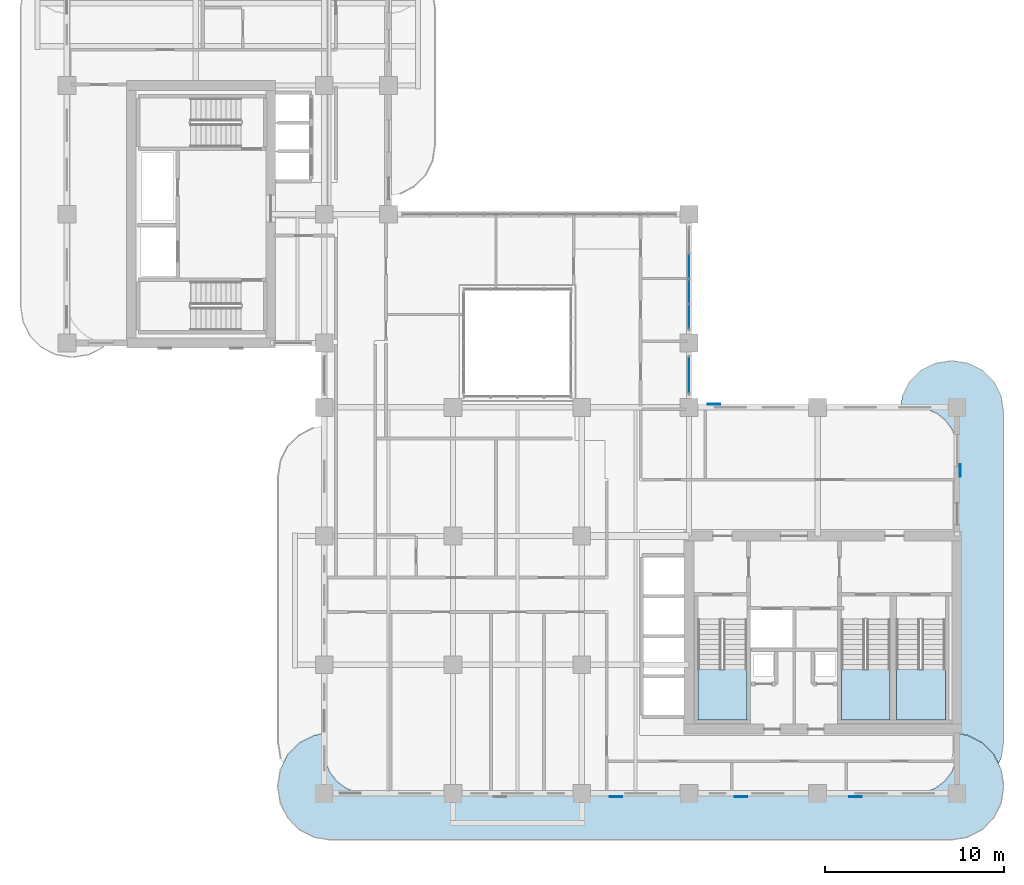
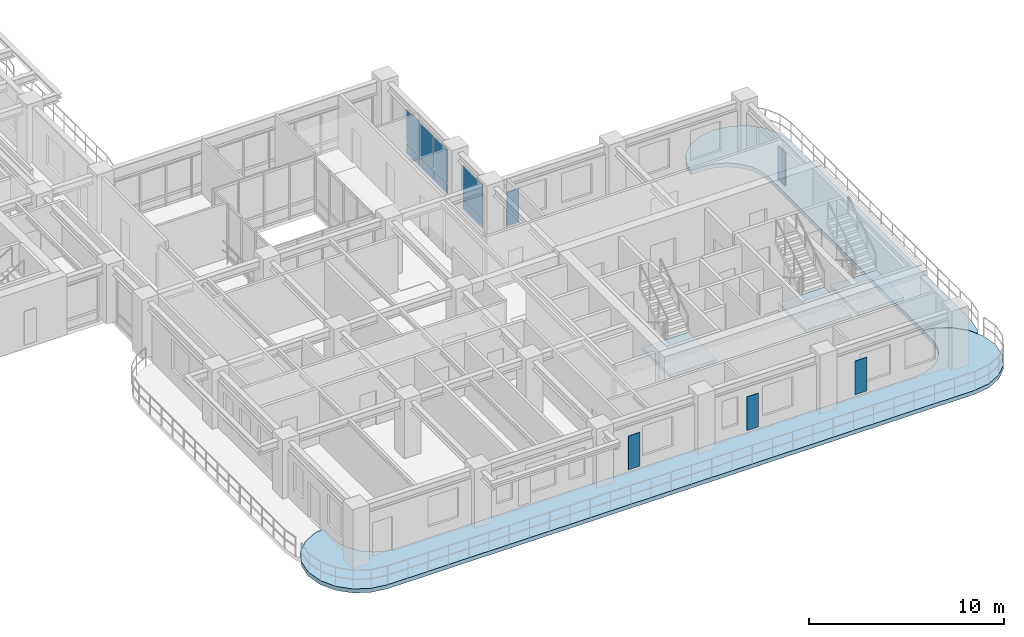
# One storey, part 9 of 20: 13 plates, 5 slabs, 5 elements without a shape of their own.
"""IFC4 building model written with IfcOpenShell, lengths in metres."""

from ifc_helpers import new_model, si_unit, derived_unit, direction, frame, origin, origin_2d, place, context, subcontext, project, spatial, polyline, rectangle, outline, extrude, source, transform, mapped, material, layer, layer_set, type_object, type_shapes, element, aggregate, save


model = new_model("IFC4")

# Units and contexts
model_context = context("Model", 3, precision=1e-05, world=origin(), true_north=direction((0.0, 1.0)))
body_context = subcontext(model_context, "Body", "Model", "MODEL_VIEW")
ifc_project = project(units=[si_unit("LENGTHUNIT", "METRE"), si_unit("AREAUNIT", "SQUARE_METRE"), si_unit("VOLUMEUNIT", "CUBIC_METRE"), si_unit("PLANEANGLEUNIT", "RADIAN"), si_unit("MASSUNIT", "GRAM", prefix="KILO"), si_unit("THERMODYNAMICTEMPERATUREUNIT", "KELVIN"), si_unit("POWERUNIT", "WATT"), derived_unit("THERMALTRANSMITTANCEUNIT", [(si_unit("POWERUNIT", "WATT"), 1), (si_unit("AREAUNIT", "SQUARE_METRE"), -1), (si_unit("THERMODYNAMICTEMPERATUREUNIT", "KELVIN"), -1)])], contexts=[model_context])

# Site, building, storey
site_placement = place(None, origin())
site = spatial("IfcSite", under=ifc_project, at=site_placement, CompositionType="ELEMENT")
building_placement = place(site_placement, origin())
building = spatial("IfcBuilding", under=site, at=building_placement, Name="Zahravan Archway Hotel and Residences", CompositionType="ELEMENT")
storey_placement = place(building_placement, frame((0.0, 0.0, 137.699951171875)))
storey = spatial("IfcBuildingStorey", under=building, at=storey_placement, Name="L34", CompositionType="ELEMENT", Elevation=137.699951171875)

# Slabs
ifc_material_1 = material(Name="Concrete C45/55", Category="concrete")
ifc_layer_1 = layer(ifc_material_1, 0.25, Name="Concrete C45/55", Category="concrete")
ifc_layer_set_1 = layer_set([ifc_layer_1], Name="Concrete C45/55")
slab_type_1 = type_object("IfcSlabType", Name="SLB-BALC-250", PredefinedType="FLOOR", material=ifc_layer_set_1)
slab_1_placement = place(storey_placement, frame((0.0, 0.0, -0.25)))
element("IfcSlab", 1, at=slab_1_placement, inside=storey, type_object=slab_type_1, Name="L34 Wing A South Rounded Balcony Band", PredefinedType="FLOOR", context=body_context, shape_type="SweptSolid", body=[
    extrude(outline(polyline([(50.361572265625, 3.255615234375), (51.18408203125, 2.836669921875), (51.836669921875, 2.18408203125), (52.255615234375, 1.361572265625), (52.39990234375, 0.449951171875), (52.39990234375, 0.35009765625), (52.255615234375, -0.5615234375), (51.836669921875, -1.384033203125), (51.18408203125, -2.03662109375), (50.361572265625, -2.45556640625), (49.449951171875, -2.60009765625), (14.75, -2.60009765625), (13.83837890625, -2.45556640625), (13.01611328125, -2.03662109375), (12.36328125, -1.384033203125), (11.9443359375, -0.5615234375), (11.800048828125, 0.35009765625), (11.800048828125, 0.449951171875), (11.9443359375, 1.361572265625), (12.36328125, 2.18408203125), (13.01611328125, 2.836669921875), (13.83837890625, 3.255615234375), (14.3798828125, 3.34130859375), (14.3798828125, 2.39990234375), (14.380126953125, 2.3974609375), (14.4619140625, 1.776123046875), (14.46240234375, 1.7744140625), (14.462646484375, 1.772705078125), (14.46337890625, 1.77099609375), (14.702880859375, 1.1923828125), (14.703857421875, 1.19091796875), (14.70458984375, 1.189208984375), (14.70556640625, 1.187744140625), (15.0869140625, 0.690673828125), (15.088134765625, 0.689453125), (15.08935546875, 0.688232421875), (15.0908203125, 0.68701171875), (15.587890625, 0.3056640625), (15.58935546875, 0.3046875), (15.5908203125, 0.3037109375), (15.59228515625, 0.302978515625), (16.171142578125, 0.063232421875), (16.1728515625, 0.062744140625), (16.174560546875, 0.062255859375), (16.17626953125, 0.06201171875), (16.79736328125, -0.019775390625), (16.800048828125, -0.02001953125), (47.39990234375, -0.02001953125), (47.402587890625, -0.019775390625), (48.023681640625, 0.06201171875), (48.025390625, 0.062255859375), (48.027099609375, 0.062744140625), (48.02880859375, 0.063232421875), (48.607666015625, 0.302978515625), (48.609130859375, 0.3037109375), (48.610595703125, 0.3046875), (48.6123046875, 0.3056640625), (49.109375, 0.68701171875), (49.110595703125, 0.688232421875), (49.11181640625, 0.689453125), (49.113037109375, 0.690673828125), (49.494384765625, 1.187744140625), (49.495361328125, 1.189208984375), (49.49609375, 1.19091796875), (49.4970703125, 1.1923828125), (49.73681640625, 1.77099609375), (49.7373046875, 1.772705078125), (49.73779296875, 1.7744140625), (49.738037109375, 1.776123046875), (49.81982421875, 2.3974609375), (49.820068359375, 2.39990234375), (49.820068359375, 3.34130859375), (50.361572265625, 3.255615234375)])), origin(), (0.0, 0.0, 1.0), 0.25),
])
slab_2_placement = place(storey_placement, frame((0.0, 0.0, -0.25)))
element("IfcSlab", 2, at=slab_2_placement, inside=storey, type_object=slab_type_1, Name="L34 Wing A East Rounded Balcony Band", PredefinedType="FLOOR", context=body_context, shape_type="SweptSolid", body=[
    extrude(outline(polyline([(46.739501953125, 22.230712890625), (47.144287109375, 23.025146484375), (47.77490234375, 23.65576171875), (48.5693359375, 24.060546875), (49.449951171875, 24.199951171875), (49.550048828125, 24.199951171875), (50.4306640625, 24.060546875), (51.22509765625, 23.65576171875), (51.855712890625, 23.025146484375), (52.260498046875, 22.230712890625), (52.39990234375, 21.35009765625), (52.39990234375, 2.85009765625), (52.260498046875, 1.96923828125), (52.114501953125, 1.6826171875), (51.8544921875, 2.193115234375), (51.853515625, 2.19482421875), (51.85205078125, 2.196533203125), (51.8505859375, 2.197998046875), (51.197998046875, 2.8505859375), (51.196533203125, 2.85205078125), (51.19482421875, 2.853515625), (51.193115234375, 2.8544921875), (50.37060546875, 3.2734375), (50.368896484375, 3.2744140625), (50.36669921875, 3.27490234375), (50.36474609375, 3.275390625), (49.822998046875, 3.361083984375), (49.8212890625, 3.361328125), (49.820068359375, 3.361328125), (49.820068359375, 19.199951171875), (49.81982421875, 19.20263671875), (49.738037109375, 19.82373046875), (49.73779296875, 19.825439453125), (49.7373046875, 19.8271484375), (49.73681640625, 19.828857421875), (49.4970703125, 20.40771484375), (49.49609375, 20.4091796875), (49.495361328125, 20.41064453125), (49.494384765625, 20.412109375), (49.113037109375, 20.9091796875), (49.11181640625, 20.91064453125), (49.110595703125, 20.911865234375), (49.109375, 20.9130859375), (48.6123046875, 21.29443359375), (48.610595703125, 21.29541015625), (48.609130859375, 21.296142578125), (48.607666015625, 21.297119140625), (48.02880859375, 21.53662109375), (48.027099609375, 21.537353515625), (48.025390625, 21.53759765625), (48.023681640625, 21.5380859375), (47.402587890625, 21.619873046875), (47.39990234375, 21.6201171875), (46.642822265625, 21.6201171875), (46.739501953125, 22.230712890625)])), origin(), (0.0, 0.0, 1.0), 0.25),
])

# Stair, slab
ifc_material_2 = material(Name="Concrete C50/60", Category="concrete")
stair_type = type_object("IfcStairType", Name="STR-CORE-1300", PredefinedType="HALF_TURN_STAIR", material=ifc_material_2)
stair_1_placement = place(storey_placement, origin())
stair_1 = element("IfcStair", 3, at=stair_1_placement, inside=storey, type_object=stair_type, Name="L34 Core A Exit Stair 1", PredefinedType="HALF_TURN_STAIR")
ifc_layer_2 = layer(ifc_material_2, 0.199951171875, Name="Concrete C50/60", Category="concrete")
ifc_layer_set_2 = layer_set([ifc_layer_2], Name="Concrete C50/60")
slab_type_2 = type_object("IfcSlabType", Name="SLB-LND-200", PredefinedType="LANDING", material=ifc_layer_set_2)
slab_3_placement = place(storey_placement, frame((0.0, 0.0, 1.650146484375)))
slab_3 = element("IfcSlab", 4, at=slab_3_placement, type_object=slab_type_2, Name="ST-A1 landing 1", PredefinedType="LANDING", context=body_context, shape_type="SweptSolid", body=[
    extrude(outline(polyline([(35.300048828125, 6.929931640625), (35.300048828125, 4.10009765625), (38.0400390625, 4.10009765625), (38.0400390625, 6.929931640625), (35.300048828125, 6.929931640625)])), origin(), (0.0, 0.0, 1.0), 0.199951171875),
])
aggregate(stair_1, [slab_3])

stair_2_placement = place(storey_placement, origin())
stair_2 = element("IfcStair", 5, at=stair_2_placement, inside=storey, type_object=stair_type, Name="L34 Core A Exit Stair 2", PredefinedType="HALF_TURN_STAIR")
slab_4_placement = place(storey_placement, frame((0.0, 0.0, 1.650146484375)))
slab_4 = element("IfcSlab", 6, at=slab_4_placement, type_object=slab_type_2, Name="ST-A2 landing 1", PredefinedType="LANDING", context=body_context, shape_type="SweptSolid", body=[
    extrude(outline(polyline([(43.320068359375, 6.929931640625), (43.320068359375, 4.10009765625), (46.06005859375, 4.10009765625), (46.06005859375, 6.929931640625), (43.320068359375, 6.929931640625)])), origin(), (0.0, 0.0, 1.0), 0.199951171875),
])
aggregate(stair_2, [slab_4])

stair_3_placement = place(storey_placement, origin())
stair_3 = element("IfcStair", 7, at=stair_3_placement, inside=storey, type_object=stair_type, Name="L34 Core A Exit Stair 3", PredefinedType="HALF_TURN_STAIR")
slab_5_placement = place(storey_placement, frame((0.0, 0.0, 1.650146484375)))
slab_5 = element("IfcSlab", 8, at=slab_5_placement, type_object=slab_type_2, Name="ST-A3 landing 1", PredefinedType="LANDING", context=body_context, shape_type="SweptSolid", body=[
    extrude(outline(polyline([(46.39990234375, 6.929931640625), (46.39990234375, 4.10009765625), (49.139892578125, 4.10009765625), (49.139892578125, 6.929931640625), (46.39990234375, 6.929931640625)])), origin(), (0.0, 0.0, 1.0), 0.199951171875),
])
aggregate(stair_3, [slab_5])

# Plates
ifc_material_3 = material(Name="Perforated Cast Bronze Jali Lattice")
ifc_layer_3 = layer(ifc_material_3, 0.044921875, Name="Perforated Cast Bronze Jali Lattice")
ifc_layer_set_3 = layer_set([ifc_layer_3], Name="Perforated Cast Bronze Jali Lattice")
plate_type_1 = type_object("IfcPlateType", Name="PLT-JALI-BAY", PredefinedType="USERDEFINED", material=ifc_layer_set_3)
shared_shape_1 = source(origin(), body_context, "Body", "SweptSolid", [
    extrude(rectangle(XDim=0.699951171875, YDim=0.044921875, at=origin_2d()), origin(), (0.0, 0.0, 1.0), 2.10009765625),
])
type_shapes(plate_type_1, [shared_shape_1])
for number, where, z_axis, x_axis, name in (
    (9, (30.7080078125, -0.177978515625, 0.25), (0.0, 0.0, 1.0), (1.0, 0.0, 0.0), "L34 Perforated Bronze Jali Pier Screen 02"),
    (10, (37.7080078125, -0.177978515625, 0.25), (0.0, 0.0, 1.0), (1.0, 0.0, 0.0), "L34 Perforated Bronze Jali Pier Screen 03"),
    (11, (44.10791015625, -0.177978515625, 0.25), (0.0, 0.0, 1.0), (1.0, 0.0, 0.0), "L34 Perforated Bronze Jali Pier Screen 04"),
    (12, (49.97802734375, 18.05908203125, 0.25), (0.0, 0.0, 1.0), (0.0, 1.0, 0.0), "L34 Perforated Bronze Jali Pier Screen 05"),
    (13, (36.2080078125, 21.778076171875, 0.25), (0.0, 0.0, 1.0), (1.0, 0.0, 0.0), "L34 Perforated Bronze Jali Pier Screen 06"),
):
    element("IfcPlate", number, at=place(storey_placement, frame(where, z_axis=z_axis, x_axis=x_axis)), inside=storey, type_object=plate_type_1, Name=name, ObjectType="SCREEN", PredefinedType="USERDEFINED", context=body_context, shape_type="MappedRepresentation", body=[
        mapped(shared_shape_1, transform((0.0, 0.0, 0.0), scale=1.0)),
    ])

# Curtain wall, plates
ifc_material_4 = material(Name="Bronze-Anodized Unitised Aluminium & Low-E Glass", Category="aluminium")
ifc_layer_4 = layer(ifc_material_4, 0.179931640625, Name="Bronze-Anodized Unitised Aluminium & Low-E Glass", Category="aluminium")
ifc_layer_set_4 = layer_set([ifc_layer_4], Name="Bronze-Anodized Unitised Aluminium & Low-E Glass")
curtain_wall_type = type_object("IfcCurtainWallType", Name="CW-ATR-GLAZ", PredefinedType="NOTDEFINED", material=ifc_layer_set_4)
curtain_wall_1_placement = place(storey_placement, origin())
curtain_wall_1 = element("IfcCurtainWall", 14, at=curtain_wall_1_placement, inside=storey, type_object=curtain_wall_type, Name="L34 Curtain Wall CW-L34-HNG-E-1", PredefinedType="NOTDEFINED")
ifc_material_5 = material(Name="Insulated Terracotta Spandrel Panel", Category="masonry")
ifc_layer_5 = layer(ifc_material_5, 0.0400390625, Name="Insulated Terracotta Spandrel Panel", Category="masonry")
ifc_layer_set_5 = layer_set([ifc_layer_5], Name="Insulated Terracotta Spandrel Panel")
plate_type_2 = type_object("IfcPlateType", Name="CWP-SPN-40", PredefinedType="SHEET", material=ifc_layer_set_5)
shared_shape_2 = source(origin(), body_context, "Body", "SweptSolid", [
    extrude(rectangle(XDim=2.0, YDim=0.0400390625, at=origin_2d()), origin(), (0.0, 0.0, 1.0), 0.564453125),
])
plate_1_placement = place(storey_placement, frame((34.800048828125, 23.39990234375, 0.10009765625), z_axis=(0.0, 0.0, 1.0), x_axis=(0.0, 1.0, 0.0)))
plate_1 = element("IfcPlate", 15, at=plate_1_placement, type_object=plate_type_2, Name="CW-L34-HNG-E-1 Spandrel Panel 0", PredefinedType="SHEET", context=body_context, shape_type="MappedRepresentation", body=[
    mapped(shared_shape_2, transform((0.0, 0.0, 0.0), scale=1.0)),
])
ifc_material_6 = material(Name="Double-Silver Low-E Insulated Vision Glass", Category="glass")
ifc_layer_6 = layer(ifc_material_6, 0.028076171875, Name="Double-Silver Low-E Insulated Vision Glass", Category="glass")
ifc_layer_set_6 = layer_set([ifc_layer_6], Name="Double-Silver Low-E Insulated Vision Glass")
plate_type_3 = type_object("IfcPlateType", Name="CWP-GLZ-28", PredefinedType="CURTAIN_PANEL", material=ifc_layer_set_6)
shared_shape_3 = source(origin(), body_context, "Body", "SweptSolid", [
    extrude(rectangle(XDim=2.0, YDim=0.028076171875, at=origin_2d()), origin(), (0.0, 0.0, 1.0), 2.090576171875),
])
plate_2_placement = place(storey_placement, frame((34.800048828125, 23.39990234375, 0.74462890625), z_axis=(0.0, 0.0, 1.0), x_axis=(0.0, 1.0, 0.0)))
plate_2 = element("IfcPlate", 16, at=plate_2_placement, type_object=plate_type_3, Name="CW-L34-HNG-E-1 Low-E Vision Panel 0", PredefinedType="CURTAIN_PANEL", context=body_context, shape_type="MappedRepresentation", body=[
    mapped(shared_shape_3, transform((0.0, 0.0, 0.0), scale=1.0)),
])
aggregate(curtain_wall_1, [plate_1, plate_2])

curtain_wall_2_placement = place(storey_placement, origin())
curtain_wall_2 = element("IfcCurtainWall", 17, at=curtain_wall_2_placement, inside=storey, type_object=curtain_wall_type, Name="L34 Curtain Wall CW-L34-HNG-E-2", PredefinedType="NOTDEFINED")
shared_shape_4 = source(origin(), body_context, "Body", "SweptSolid", [
    extrude(rectangle(XDim=1.340087890625, YDim=0.0400390625, at=origin_2d()), origin(), (0.0, 0.0, 1.0), 0.564453125),
])
plate_3_placement = place(storey_placement, frame((34.800048828125, 26.669921875, 0.10009765625), z_axis=(0.0, 0.0, 1.0), x_axis=(0.0, 1.0, 0.0)))
plate_3 = element("IfcPlate", 18, at=plate_3_placement, type_object=plate_type_2, Name="CW-L34-HNG-E-2 Spandrel Panel 0", PredefinedType="SHEET", context=body_context, shape_type="MappedRepresentation", body=[
    mapped(shared_shape_4, transform((0.0, 0.0, 0.0), scale=1.0)),
])
plate_4_placement = place(storey_placement, frame((34.800048828125, 28.090087890625, 0.10009765625), z_axis=(0.0, 0.0, 1.0), x_axis=(0.0, 1.0, 0.0)))
plate_4 = element("IfcPlate", 19, at=plate_4_placement, type_object=plate_type_2, Name="CW-L34-HNG-E-2 Spandrel Panel 1", PredefinedType="SHEET", context=body_context, shape_type="MappedRepresentation", body=[
    mapped(shared_shape_4, transform((0.0, 0.0, 0.0), scale=1.0)),
])
plate_5_placement = place(storey_placement, frame((34.800048828125, 29.510009765625, 0.10009765625), z_axis=(0.0, 0.0, 1.0), x_axis=(0.0, 1.0, 0.0)))
plate_5 = element("IfcPlate", 20, at=plate_5_placement, type_object=plate_type_2, Name="CW-L34-HNG-E-2 Spandrel Panel 2", PredefinedType="SHEET", context=body_context, shape_type="MappedRepresentation", body=[
    mapped(shared_shape_4, transform((0.0, 0.0, 0.0), scale=1.0)),
])
shared_shape_5 = source(origin(), body_context, "Body", "SweptSolid", [
    extrude(rectangle(XDim=1.340087890625, YDim=0.028076171875, at=origin_2d()), origin(), (0.0, 0.0, 1.0), 2.090576171875),
])
plate_6_placement = place(storey_placement, frame((34.800048828125, 26.669921875, 0.74462890625), z_axis=(0.0, 0.0, 1.0), x_axis=(0.0, 1.0, 0.0)))
plate_6 = element("IfcPlate", 21, at=plate_6_placement, type_object=plate_type_3, Name="CW-L34-HNG-E-2 Low-E Vision Panel 0", PredefinedType="CURTAIN_PANEL", context=body_context, shape_type="MappedRepresentation", body=[
    mapped(shared_shape_5, transform((0.0, 0.0, 0.0), scale=1.0)),
])
plate_7_placement = place(storey_placement, frame((34.800048828125, 28.090087890625, 0.74462890625), z_axis=(0.0, 0.0, 1.0), x_axis=(0.0, 1.0, 0.0)))
plate_7 = element("IfcPlate", 22, at=plate_7_placement, type_object=plate_type_3, Name="CW-L34-HNG-E-2 Low-E Vision Panel 1", PredefinedType="CURTAIN_PANEL", context=body_context, shape_type="MappedRepresentation", body=[
    mapped(shared_shape_5, transform((0.0, 0.0, 0.0), scale=1.0)),
])
plate_8_placement = place(storey_placement, frame((34.800048828125, 29.510009765625, 0.74462890625), z_axis=(0.0, 0.0, 1.0), x_axis=(0.0, 1.0, 0.0)))
plate_8 = element("IfcPlate", 23, at=plate_8_placement, type_object=plate_type_3, Name="CW-L34-HNG-E-2 Low-E Vision Panel 2", PredefinedType="CURTAIN_PANEL", context=body_context, shape_type="MappedRepresentation", body=[
    mapped(shared_shape_5, transform((0.0, 0.0, 0.0), scale=1.0)),
])
aggregate(curtain_wall_2, [plate_3, plate_6, plate_4, plate_7, plate_5, plate_8])

save(model, "model.ifc")
